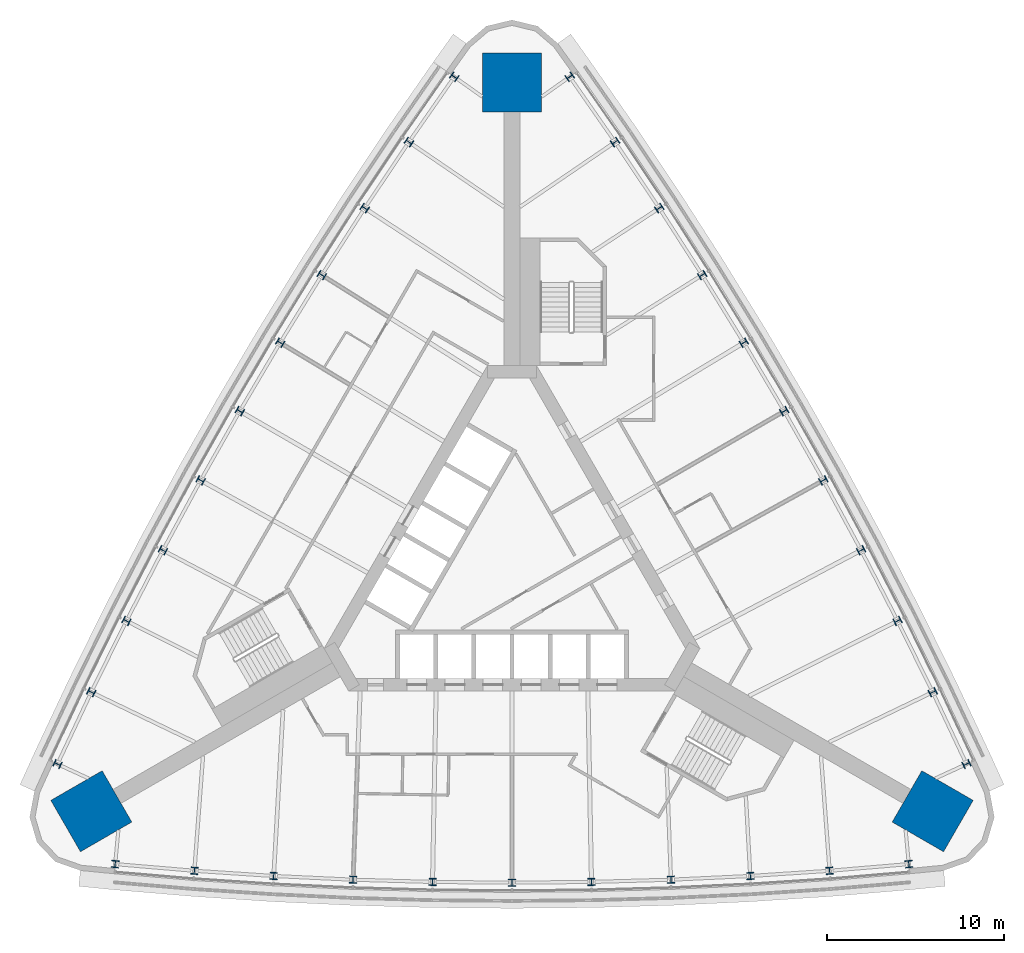
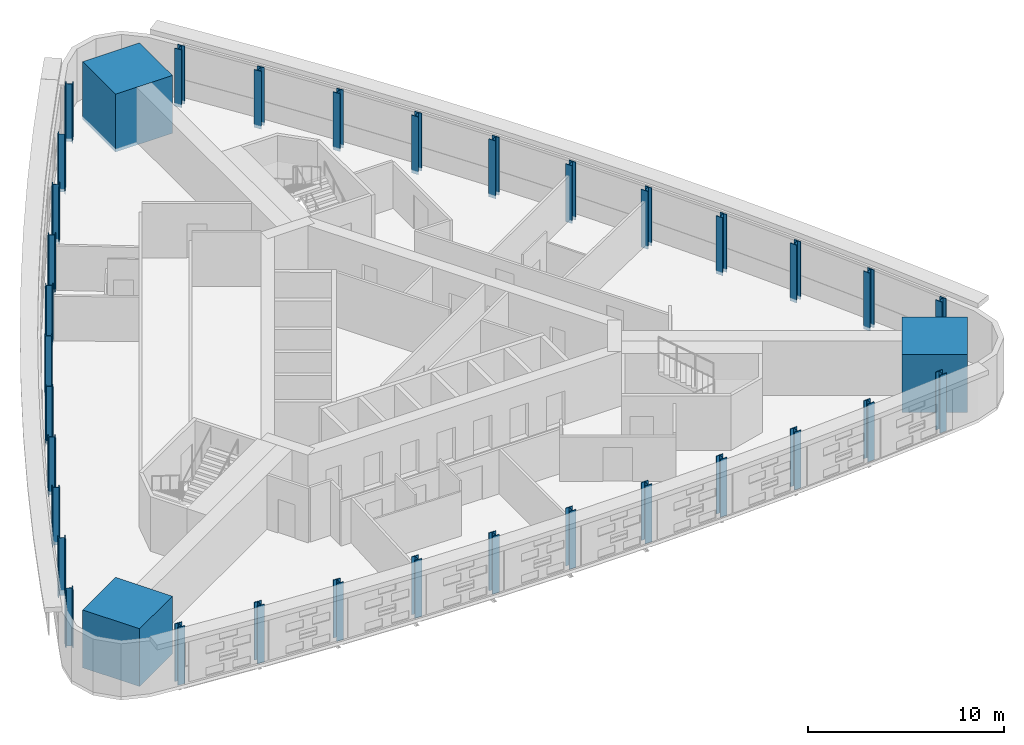
# One storey, part 1 of 14: 36 columns.
"""IFC4 building model written with IfcOpenShell, lengths in metres."""

import ifcopenshell
import ifcopenshell.guid

model = None  # the IFC model being written
_history = None  # IfcOwnerHistory: only IFC2X3 demands one
_inside = {}  # id of a spatial element -> (the spatial element, [elements in it])
_under = {}  # id of a project, library or spatial element -> (it, [spatial elements below it])
_declared = {}  # id of a project -> (the project, [libraries it declares])
_typed = {}  # id of a type object -> (the type object, [elements of that type])
_made_of = {}  # id of a material, layer set ... -> (it, [elements and type objects made of it])


def new_model(schema):
    """Start an empty IFC model of exactly this schema.

    Asked for "IFC4X3", IfcOpenShell would pick the latest addendum, in which some entities
    have other attributes; the version numbers below select the first issue.
    IFC2X3 requires an IfcOwnerHistory on every rooted entity: one is made here for all.
    """
    global model, _history
    if schema == "IFC4X3":
        model = ifcopenshell.file(schema_version=(4, 3, 0, 0))
    else:
        model = ifcopenshell.file(schema=schema)
    _inside.clear()
    _under.clear()
    _declared.clear()
    _typed.clear()
    _made_of.clear()
    _history = None
    if model.schema == "IFC2X3":
        org = make("IfcOrganization", Name="unknown")
        user = make(
            "IfcPersonAndOrganization",
            ThePerson=make("IfcPerson", FamilyName="unknown"),
            TheOrganization=org,
        )
        app = make(
            "IfcApplication",
            ApplicationDeveloper=org,
            Version="unknown",
            ApplicationFullName="unknown",
            ApplicationIdentifier="unknown",
        )
        _history = make(
            "IfcOwnerHistory",
            OwningUser=user,
            OwningApplication=app,
            ChangeAction="ADDED",
            CreationDate=0,
        )
    return model


def make(cls, **values):
    """One entity of the class cls with the attributes given. An attribute that is None is left unset."""
    return model.create_entity(
        cls, **{name: value for name, value in values.items() if value is not None}
    )


def rooted(cls, **values):
    """An entity with a GlobalId (a new one), such as an element, a storey or a relation."""
    return make(cls, GlobalId=ifcopenshell.guid.new(), OwnerHistory=_history, **values)


def si_unit(unit_type, name, prefix=None):
    """IfcSIUnit, for example si_unit("LENGTHUNIT", "METRE", prefix="MILLI")."""
    return make("IfcSIUnit", UnitType=unit_type, Prefix=prefix, Name=name)


def assignment(units):
    """IfcUnitAssignment: the units of a project."""
    return None if units is None else make("IfcUnitAssignment", Units=units)


def point(xyz):
    """IfcCartesianPoint."""
    return None if xyz is None else make("IfcCartesianPoint", Coordinates=xyz)


def direction(xyz):
    """IfcDirection."""
    return None if xyz is None else make("IfcDirection", DirectionRatios=xyz)


def frame(location, z_axis=None, x_axis=None):
    """IfcAxis2Placement3D, a coordinate frame: its origin and axes. An axis left out is left unset."""
    return make(
        "IfcAxis2Placement3D",
        Location=point(location),
        Axis=direction(z_axis),
        RefDirection=direction(x_axis),
    )


def frame_2d(location, x_axis=None):
    """IfcAxis2Placement2D, a coordinate frame in the plane: its origin and x axis."""
    return make(
        "IfcAxis2Placement2D", Location=point(location), RefDirection=direction(x_axis)
    )


def origin():
    """The frame at (0, 0, 0) with its axes left unset."""
    return frame((0.0, 0.0, 0.0))


def origin_2d():
    """The frame at (0, 0) in the plane with its x axis left unset."""
    return frame_2d((0.0, 0.0))


def place(relative_to, where):
    """IfcLocalPlacement: puts the frame where relative to a parent placement (None: the world)."""
    return make(
        "IfcLocalPlacement", PlacementRelTo=relative_to, RelativePlacement=where
    )


def context(
    kind, dimensions, precision=None, world=None, true_north=None, identifier=None
):
    """IfcGeometricRepresentationContext, for example the 3D "Model" context."""
    return make(
        "IfcGeometricRepresentationContext",
        ContextIdentifier=identifier,
        ContextType=kind,
        CoordinateSpaceDimension=dimensions,
        Precision=precision,
        WorldCoordinateSystem=world,
        TrueNorth=true_north,
    )


def subcontext(parent, identifier, kind, view, scale=None):
    """IfcGeometricRepresentationSubContext, for example "Body" below "Model"."""
    return make(
        "IfcGeometricRepresentationSubContext",
        ContextIdentifier=identifier,
        ContextType=kind,
        ParentContext=parent,
        TargetScale=scale,
        TargetView=view,
    )


def project(units=None, contexts=None):
    """IfcProject with its units and contexts."""
    return rooted(
        "IfcProject",
        Name="project",
        RepresentationContexts=contexts,
        UnitsInContext=assignment(units),
    )


def spatial(cls, under=None, at=None, **own):
    """A site, building, storey or space (cls), placed at a placement, below another one or the project."""
    s = rooted(cls, ObjectPlacement=at, **own)
    if under is not None:
        _under.setdefault(under.id(), (under, []))[1].append(s)
    return s


def profile(cls, at=None, kind="AREA", **sizes):
    """A parametric profile (cls). Its sizes go by their IFC names, for example OverallWidth=200.0."""
    return make(cls, ProfileType=kind, Position=at, **sizes)


def rectangle(**sizes):
    """IfcRectangleProfileDef."""
    return profile("IfcRectangleProfileDef", **sizes)


def i_section(**sizes):
    """IfcIShapeProfileDef."""
    return profile("IfcIShapeProfileDef", **sizes)


def extrude(swept, where, along, depth):
    """IfcExtrudedAreaSolid: the profile swept, set in the frame where, extruded along a direction by depth."""
    return make(
        "IfcExtrudedAreaSolid",
        SweptArea=swept,
        Position=where,
        ExtrudedDirection=direction(along),
        Depth=depth,
    )


def shape(context_of_items, identifier, shape_type, items):
    """IfcShapeRepresentation: the items that make up one representation, for example the "Body"."""
    return make(
        "IfcShapeRepresentation",
        ContextOfItems=context_of_items,
        RepresentationIdentifier=identifier,
        RepresentationType=shape_type,
        Items=items,
    )


def material(Name=None, Category=None):
    """IfcMaterial."""
    return make("IfcMaterial", Name=Name, Category=Category)


def material_profile(
    of_material, cross_section, Name=None, Category=None, Priority=None
):
    """IfcMaterialProfile: a cross section and its material."""
    return make(
        "IfcMaterialProfile",
        Name=Name,
        Material=of_material,
        Profile=cross_section,
        Priority=Priority,
        Category=Category,
    )


def profile_set(profiles, Name=None, composite=None):
    """IfcMaterialProfileSet."""
    return make(
        "IfcMaterialProfileSet",
        Name=Name,
        MaterialProfiles=profiles,
        CompositeProfile=composite,
    )


def made_of(thing, what):
    """Note that an element or type object is made of a material, layer set ...; save() writes the relation."""
    if what is not None:
        _made_of.setdefault(what.id(), (what, []))[1].append(thing)
    return thing


def type_object(cls, material=None, **own):
    """A type object (cls), such as IfcWallType, which elements share."""
    return made_of(rooted(cls, **own), material)


def element(
    cls,
    number,
    at=None,
    inside=None,
    cuts=None,
    type_object=None,
    material=None,
    context=None,
    identifier="Body",
    shape_type=None,
    held_by="IfcProductDefinitionShape",
    body=None,
    shapes=None,
    **own,
):
    """One element of the class cls, such as IfcWall. Its Tag is "e" and its number.

    at: its placement. inside: the storey or other place that contains it. cuts: it is an
    opening in that element (IfcRelVoidsElement). A single representation is given by context,
    identifier, shape_type and body (its items); several are given by shapes. held_by: the class
    of the entity that holds the representations. save() writes the other relations.
    """
    e = rooted(cls, Tag="e%d" % number, ObjectPlacement=at, **own)
    if body is not None:
        shapes = [shape(context, identifier, shape_type, body)]
    if shapes is not None:
        e.Representation = make(held_by, Representations=shapes)
    if inside is not None:
        _inside.setdefault(inside.id(), (inside, []))[1].append(e)
    if cuts is not None:
        rooted(
            "IfcRelVoidsElement", RelatingBuildingElement=cuts, RelatedOpeningElement=e
        )
    if type_object is not None:
        _typed.setdefault(type_object.id(), (type_object, []))[1].append(e)
    return made_of(e, material)


def aggregate(whole, parts):
    """IfcRelAggregates: a whole, such as a stair, and the parts it consists of."""
    return rooted("IfcRelAggregates", RelatingObject=whole, RelatedObjects=parts)


def save(model, path):
    """Write the relations noted so far, then the file.

    IfcRelAggregates (storeys below a building ...), IfcRelContainedInSpatialStructure (elements
    in a storey), IfcRelDefinesByType, IfcRelAssociatesMaterial and IfcRelDeclares: one each for
    every whole, place, type object, material and project.
    """
    for whole, parts in _under.values():
        aggregate(whole, parts)
    for where, things in _inside.values():
        rooted(
            "IfcRelContainedInSpatialStructure",
            RelatedElements=things,
            RelatingStructure=where,
        )
    for kind, things in _typed.values():
        rooted("IfcRelDefinesByType", RelatedObjects=things, RelatingType=kind)
    for what, things in _made_of.values():
        rooted("IfcRelAssociatesMaterial", RelatedObjects=things, RelatingMaterial=what)
    for by, libraries in _declared.values():
        rooted("IfcRelDeclares", RelatingContext=by, RelatedDefinitions=libraries)
    model.write(path)


model = new_model("IFC4")

# Units and contexts
model_context = context("Model", 3, precision=1e-05, world=origin(), true_north=direction((0.0, 1.0)))
body_context = subcontext(model_context, "Body", "Model", "MODEL_VIEW")
ifc_project = project(units=[si_unit("LENGTHUNIT", "METRE"), si_unit("AREAUNIT", "SQUARE_METRE"), si_unit("VOLUMEUNIT", "CUBIC_METRE"), si_unit("PLANEANGLEUNIT", "RADIAN"), si_unit("MASSUNIT", "GRAM", prefix="KILO")], contexts=[model_context])

# Site, building, storey
site_placement = place(None, origin())
site = spatial("IfcSite", under=ifc_project, at=site_placement, CompositionType="ELEMENT")
building_placement = place(site_placement, origin())
building = spatial("IfcBuilding", under=site, at=building_placement, Name="Noor Cloister Tower", CompositionType="ELEMENT")
storey_placement = place(building_placement, frame((0.0, 0.0, 38.39990234375)))
storey = spatial("IfcBuildingStorey", under=building, at=storey_placement, Name="L09", CompositionType="ELEMENT", Elevation=38.39990234375)

# Columns
ifc_material_1 = material(Name="Steel ASTM A992 Gr 50", Category="steel")
ifc_material_profile_1 = material_profile(ifc_material_1, i_section(OverallWidth=0.404052734375, OverallDepth=0.406005859375, WebThickness=0.027099609375, FlangeThickness=0.043701171875, FilletRadius=0.01513671875, at=origin_2d()), Name="W360x347")
ifc_profile_set_1 = profile_set([ifc_material_profile_1], Name="Steel ASTM A992 Gr 50")
column_type_1 = type_object("IfcColumnType", Name="Column W360x347", PredefinedType="COLUMN", material=ifc_profile_set_1)
for number, where, z_axis, x_axis, name in (
    (1, (-3.260498046875, 27.765869140625, -0.199951171875), (0.0, 0.0, 1.0), (-0.578783307573, -0.815481381072, 0.0), "Column NW 01 L09"),
    (2, (-5.82470703125, 24.08056640625, -0.199951171875), (0.0, 0.0, 1.0), (-0.563410841434, -0.826176871956, 0.0), "Column NW 02 L09"),
    (3, (-8.3193359375, 20.34765625, -0.199951171875), (0.0, 0.0, 1.0), (-0.547840783582, -0.836582617465, 0.0), "Column NW 03 L09"),
    (4, (-10.74365234375, 16.56884765625, -0.199951171875), (0.0, 0.0, 1.0), (-0.532078594563, -0.846694968219, 0.0), "Column NW 04 L09"),
    (5, (-13.0966796875, 12.745361328125, -0.199951171875), (0.0, 0.0, 1.0), (-0.516129802245, -0.856510377774, 0.0), "Column NW 05 L09"),
    (6, (-15.3779296875, 8.87841796875, -0.199951171875), (0.0, 0.0, 1.0), (-0.5, -0.866025403784, 0.0), "Column NW 06 L09"),
    (7, (-17.586181640625, 4.969482421875, -0.199951171875), (0.0, 0.0, 1.0), (-0.483694844635, -0.875236709282, 0.0), "Column NW 07 L09"),
    (8, (-19.720947265625, 1.019775390625, -0.199951171875), (0.0, 0.0, 1.0), (-0.467220054453, -0.884141063811, 0.0), "Column NW 08 L09"),
    (9, (-21.78125, -2.96923828125, -0.199951171875), (0.0, 0.0, 1.0), (-0.450581407298, -0.892735344543, 0.0), "Column NW 09 L09"),
    (10, (-23.7666015625, -6.99609375, -0.199951171875), (0.0, 0.0, 1.0), (-0.433784738416, -0.901016537427, 0.0), "Column NW 10 L09"),
    (11, (-25.67626953125, -11.059326171875, -0.199951171875), (0.0, 0.0, 1.0), (-0.416835938535, -0.908981738181, 0.0), "Column NW 11 L09"),
    (12, (-22.415771484375, -16.70654296875, -0.199951171875), (0.0, 0.0, 1.0), (0.995619246108, -0.093500357109, 0.0), "Column S 01 L09"),
    (13, (-17.94189453125, -17.08447265625, -0.199951171875), (0.0, 0.0, 1.0), (0.99719557985, -0.074839665471, 0.0), "Column S 02 L09"),
    (14, (-13.4619140625, -17.378662109375, -0.199951171875), (0.0, 0.0, 1.0), (0.99842219088, -0.056152727079, 0.0), "Column S 03 L09"),
    (15, (-8.977294921875, -17.588623046875, -0.199951171875), (0.0, 0.0, 1.0), (0.999298649016, -0.037446095592, 0.0), "Column S 04 L09"),
    (16, (-4.489501953125, -17.71484375, -0.199951171875), (0.0, 0.0, 1.0), (0.99982464688, -0.018726331508, 0.0), "Column S 05 L09"),
    (17, (0.0, -17.7568359375, -0.199951171875), (0.0, 0.0, 1.0), (1.0, 0.0, 0.0), "Column S 06 L09"),
    (18, (4.489501953125, -17.71484375, -0.199951171875), (0.0, 0.0, 1.0), (0.99982464688, 0.018726331508, 0.0), "Column S 07 L09"),
    (19, (8.977294921875, -17.588623046875, -0.199951171875), (0.0, 0.0, 1.0), (0.999298649016, 0.037446095592, 0.0), "Column S 08 L09"),
    (20, (13.4619140625, -17.378662109375, -0.199951171875), (0.0, 0.0, 1.0), (0.99842219088, 0.056152727079, 0.0), "Column S 09 L09"),
    (21, (17.94189453125, -17.08447265625, -0.199951171875), (0.0, 0.0, 1.0), (0.99719557985, 0.074839665471, 0.0), "Column S 10 L09"),
    (22, (22.415771484375, -16.70654296875, -0.199951171875), (0.0, 0.0, 1.0), (0.995619246108, 0.093500357109, 0.0), "Column S 11 L09"),
    (23, (25.67626953125, -11.059326171875, -0.199951171875), (0.0, 0.0, 1.0), (-0.416835938535, 0.908981738181, 0.0), "Column NE 01 L09"),
    (24, (23.7666015625, -6.99609375, -0.199951171875), (0.0, 0.0, 1.0), (-0.433784738416, 0.901016537427, 0.0), "Column NE 02 L09"),
    (25, (21.78125, -2.96923828125, -0.199951171875), (0.0, 0.0, 1.0), (-0.450581407298, 0.892735344543, 0.0), "Column NE 03 L09"),
    (26, (19.720947265625, 1.019775390625, -0.199951171875), (0.0, 0.0, 1.0), (-0.467220054453, 0.884141063811, 0.0), "Column NE 04 L09"),
    (27, (17.586181640625, 4.969482421875, -0.199951171875), (0.0, 0.0, 1.0), (-0.483694844635, 0.875236709282, 0.0), "Column NE 05 L09"),
    (28, (15.3779296875, 8.87841796875, -0.199951171875), (0.0, 0.0, 1.0), (-0.5, 0.866025403784, 0.0), "Column NE 06 L09"),
    (29, (13.0966796875, 12.745361328125, -0.199951171875), (0.0, 0.0, 1.0), (-0.516129802245, 0.856510377774, 0.0), "Column NE 07 L09"),
    (30, (10.74365234375, 16.56884765625, -0.199951171875), (0.0, 0.0, 1.0), (-0.532078594563, 0.846694968219, 0.0), "Column NE 08 L09"),
    (31, (8.3193359375, 20.34765625, -0.199951171875), (0.0, 0.0, 1.0), (-0.547840783582, 0.836582617465, 0.0), "Column NE 09 L09"),
    (32, (5.82470703125, 24.08056640625, -0.199951171875), (0.0, 0.0, 1.0), (-0.563410841434, 0.826176871956, 0.0), "Column NE 10 L09"),
    (33, (3.260498046875, 27.765869140625, -0.199951171875), (0.0, 0.0, 1.0), (-0.578783307573, 0.815481381072, 0.0), "Column NE 11 L09"),
):
    element("IfcColumn", number, at=place(storey_placement, frame(where, z_axis=z_axis, x_axis=x_axis)), inside=storey, type_object=column_type_1, Name=name, PredefinedType="COLUMN", context=body_context, shape_type="SweptSolid", body=[
        extrude(i_section(OverallWidth=0.404052734375, OverallDepth=0.406005859375, WebThickness=0.027099609375, FlangeThickness=0.043701171875, FilletRadius=0.01513671875, at=origin_2d()), origin(), (0.0, 0.0, 1.0), 3.60009765625),
    ])
ifc_material_2 = material(Name="Concrete C80/95", Category="concrete")
ifc_material_profile_2 = material_profile(ifc_material_2, rectangle(XDim=3.35009765625, YDim=3.35009765625, at=origin_2d()), Name="RC 3350x3350")
ifc_profile_set_2 = profile_set([ifc_material_profile_2], Name="Concrete C80/95")
column_type_2 = type_object("IfcColumnType", Name="Corner pier 3350 x 3350 C80/95", PredefinedType="COLUMN", material=ifc_profile_set_2)
for number, where, z_axis, x_axis, name in (
    (34, (0.0, 27.43994140625, -0.199951171875), (0.0, 0.0, 1.0), (0.0, 1.0, 0.0), "Corner pier N L09"),
    (35, (-23.763671875, -13.719970703125, -0.199951171875), (0.0, 0.0, 1.0), (-0.866025403784, -0.5, 0.0), "Corner pier SW L09"),
    (36, (23.763671875, -13.719970703125, -0.199951171875), (0.0, 0.0, 1.0), (0.866025403784, -0.5, 0.0), "Corner pier SE L09"),
):
    element("IfcColumn", number, at=place(storey_placement, frame(where, z_axis=z_axis, x_axis=x_axis)), inside=storey, type_object=column_type_2, Name=name, PredefinedType="COLUMN", context=body_context, shape_type="SweptSolid", body=[
        extrude(rectangle(XDim=3.35009765625, YDim=3.35009765625, at=origin_2d()), origin(), (0.0, 0.0, 1.0), 3.60009765625),
    ])

save(model, "model.ifc")
